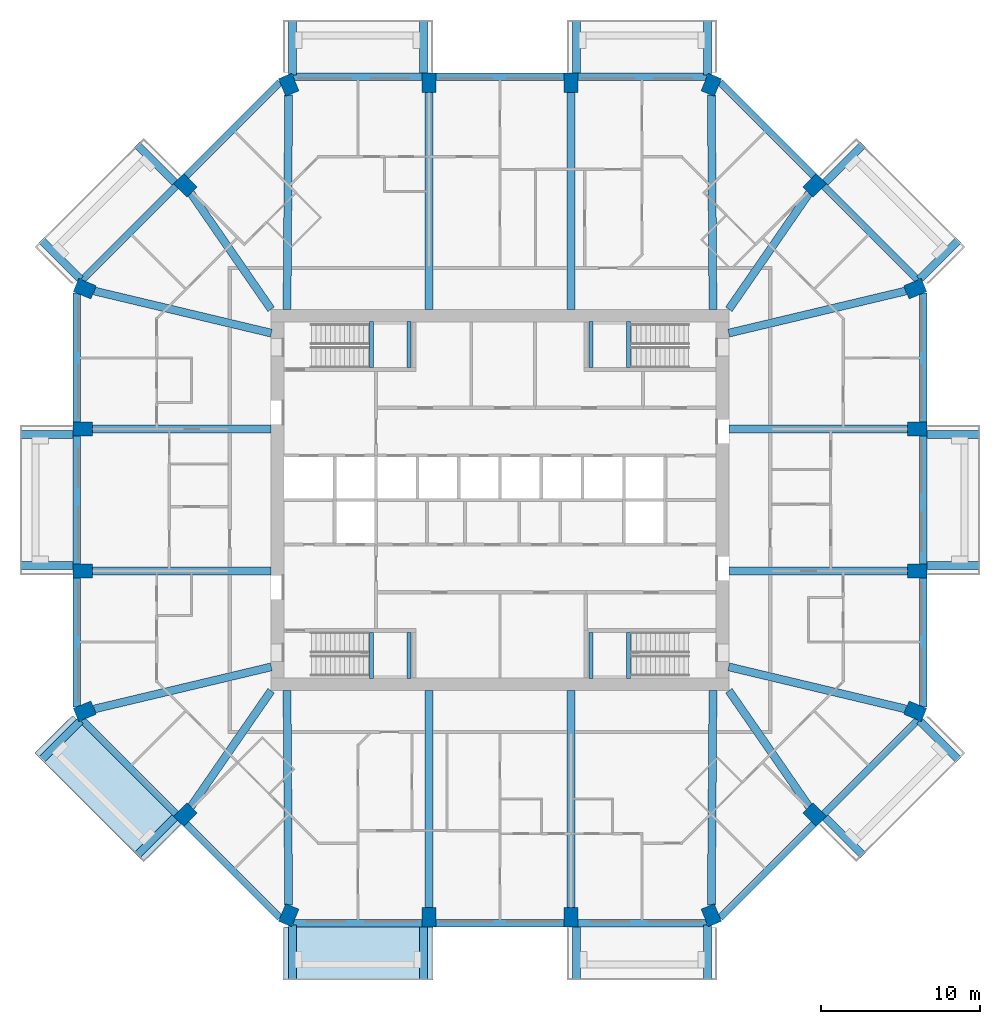
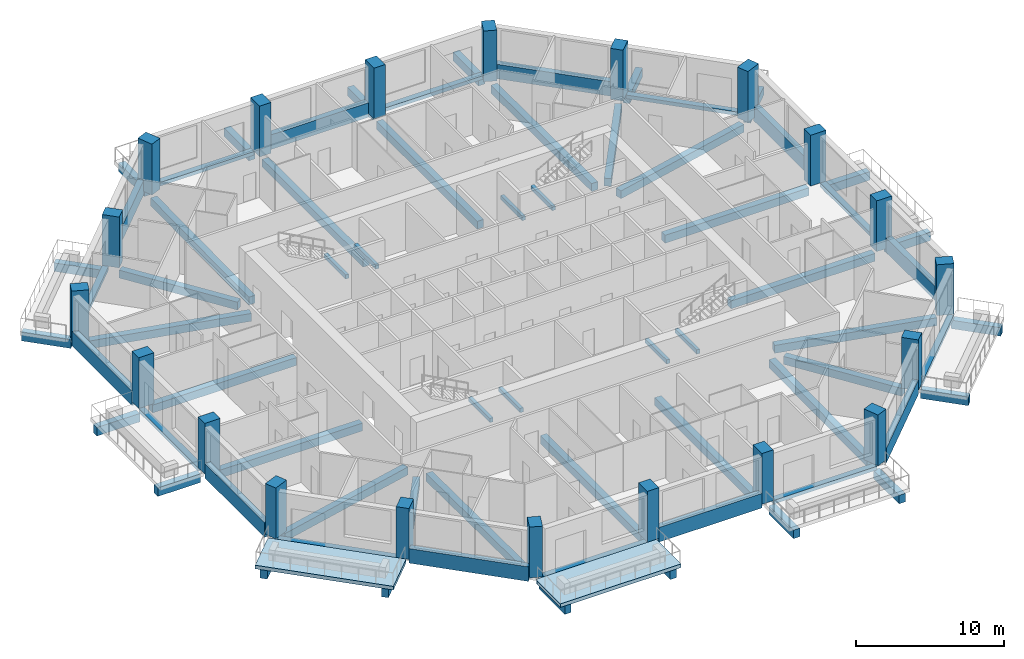
# One storey, part 1 of 13: 68 beams, 20 columns, 2 slabs.
"""IFC4 building model written with IfcOpenShell, lengths in metres."""

from ifc_helpers import new_model, si_unit, direction, frame, origin, origin_2d, place, context, subcontext, project, spatial, polyline, rectangle, outline, extrude, material, layer, layer_set, material_profile, profile_set, type_object, element, save


model = new_model("IFC4")

# Units and contexts
model_context = context("Model", 3, precision=1e-05, world=origin(), true_north=direction((0.0, 1.0)))
body_context = subcontext(model_context, "Body", "Model", "MODEL_VIEW")
ifc_project = project(units=[si_unit("LENGTHUNIT", "METRE"), si_unit("AREAUNIT", "SQUARE_METRE"), si_unit("VOLUMEUNIT", "CUBIC_METRE"), si_unit("PLANEANGLEUNIT", "RADIAN"), si_unit("MASSUNIT", "GRAM", prefix="KILO")], contexts=[model_context])

# Site, building, storey
site_placement = place(None, origin())
site = spatial("IfcSite", under=ifc_project, at=site_placement, CompositionType="ELEMENT")
building_placement = place(site_placement, origin())
building = spatial("IfcBuilding", under=site, at=building_placement, Name="Msitu Wima Residences", CompositionType="ELEMENT")
storey_placement = place(building_placement, frame((0.0, 0.0, 110.699951171875)))
storey = spatial("IfcBuildingStorey", under=building, at=storey_placement, Name="L25", CompositionType="ELEMENT", Elevation=110.699951171875)

# Columns
ifc_material_1 = material(Name="Concrete C70/85", Category="concrete")
ifc_material_profile_1 = material_profile(ifc_material_1, rectangle(XDim=0.89990234375, YDim=1.199951171875, at=origin_2d()), Name="RC 900x1200")
ifc_profile_set_1 = profile_set([ifc_material_profile_1], Name="Concrete C70/85")
column_type = type_object("IfcColumnType", Name="Column RC 900x1200 Concrete C70/85", PredefinedType="COLUMN", material=ifc_profile_set_1)
for number, where, z_axis, x_axis, name in (
    (1, (26.12353515625, -13.291259765625, 0.0), (0.0, 0.0, 1.0), (0.382683496864, 0.923879505795, 0.0), "Column L25 C-E0"),
    (2, (26.25, -4.46875, 0.0), (0.0, 0.0, 1.0), (0.0, 1.0, 0.0), "Column L25 C-E1"),
    (3, (26.25, 4.46875, 0.0), (0.0, 0.0, 1.0), (0.0, 1.0, 0.0), "Column L25 C-E2"),
    (4, (26.12353515625, 13.291259765625, 0.0), (0.0, 0.0, 1.0), (-0.382683496864, 0.923879505795, 0.0), "Column L25 C-NE0"),
    (5, (19.796875, 19.796875, 0.0), (0.0, 0.0, 1.0), (-0.707106781187, 0.707106781187, 0.0), "Column L25 C-NE1"),
    (6, (13.291259765625, 26.12353515625, 0.0), (0.0, 0.0, 1.0), (-0.923879505795, 0.382683496864, 0.0), "Column L25 C-N0"),
    (7, (4.46875, 26.25, 0.0), (0.0, 0.0, 1.0), (-1.0, 0.0, 0.0), "Column L25 C-N1"),
    (8, (-4.46875, 26.25, 0.0), (0.0, 0.0, 1.0), (-1.0, 0.0, 0.0), "Column L25 C-N2"),
    (9, (-13.291259765625, 26.12353515625, 0.0), (0.0, 0.0, 1.0), (-0.923879505795, -0.382683496864, 0.0), "Column L25 C-NW0"),
    (10, (-19.796875, 19.796875, 0.0), (0.0, 0.0, 1.0), (-0.707106781187, -0.707106781187, 0.0), "Column L25 C-NW1"),
    (11, (-26.12353515625, 13.291259765625, 0.0), (0.0, 0.0, 1.0), (-0.382683496864, -0.923879505795, 0.0), "Column L25 C-W0"),
    (12, (-26.25, 4.46875, 0.0), (0.0, 0.0, 1.0), (0.0, -1.0, 0.0), "Column L25 C-W1"),
    (13, (-26.25, -4.46875, 0.0), (0.0, 0.0, 1.0), (0.0, -1.0, 0.0), "Column L25 C-W2"),
    (14, (-26.12353515625, -13.291259765625, 0.0), (0.0, 0.0, 1.0), (0.382683496864, -0.923879505795, 0.0), "Column L25 C-SW0"),
    (15, (-19.796875, -19.796875, 0.0), (0.0, 0.0, 1.0), (0.707106781187, -0.707106781187, 0.0), "Column L25 C-SW1"),
    (16, (-13.291259765625, -26.12353515625, 0.0), (0.0, 0.0, 1.0), (0.923879505795, -0.382683496864, 0.0), "Column L25 C-S0"),
    (17, (-4.46875, -26.25, 0.0), (0.0, 0.0, 1.0), (1.0, 0.0, 0.0), "Column L25 C-S1"),
    (18, (4.46875, -26.25, 0.0), (0.0, 0.0, 1.0), (1.0, 0.0, 0.0), "Column L25 C-S2"),
    (19, (13.291259765625, -26.12353515625, 0.0), (0.0, 0.0, 1.0), (0.923879505795, 0.382683496864, 0.0), "Column L25 C-SE0"),
    (20, (19.796875, -19.796875, 0.0), (0.0, 0.0, 1.0), (0.707106781187, 0.707106781187, 0.0), "Column L25 C-SE1"),
):
    element("IfcColumn", number, at=place(storey_placement, frame(where, z_axis=z_axis, x_axis=x_axis)), inside=storey, type_object=column_type, Name=name, PredefinedType="COLUMN", context=body_context, shape_type="SweptSolid", body=[
        extrude(rectangle(XDim=0.89990234375, YDim=1.199951171875, at=origin_2d()), origin(), (0.0, 0.0, 1.0), 4.199951171875),
    ])

# Beams
ifc_material_2 = material(Name="Concrete C50/60", Category="concrete")
ifc_material_profile_2 = material_profile(ifc_material_2, rectangle(XDim=0.5, YDim=0.64990234375, at=origin_2d()), Name="RC 500x650")
ifc_profile_set_2 = profile_set([ifc_material_profile_2], Name="Concrete C50/60")
beam_type_1 = type_object("IfcBeamType", Name="Beam RC 500x650 Concrete C50/60", PredefinedType="BEAM", material=ifc_profile_set_2)
beam_1_placement = place(storey_placement, frame((25.5322265625, -13.150634765625, -0.574951171875), z_axis=(-0.972805528659, 0.231623408598, 0.0), x_axis=(-0.231623408598, -0.972805528659, 0.0)))
element("IfcBeam", 21, at=beam_1_placement, inside=storey, type_object=beam_type_1, Name="Beam L25 C-E0", PredefinedType="BEAM", context=body_context, shape_type="SweptSolid", body=[
    extrude(rectangle(XDim=0.5, YDim=0.64990234375, at=origin_2d()), origin(), (0.0, 0.0, 1.0), 11.455322265625),
])
for number, where, z_axis, x_axis, name in (
    (22, (25.64990234375, -4.46875, -0.574951171875), (-1.0, 0.0, 0.0), (0.0, -1.0, 0.0), "Beam L25 C-E1"),
    (23, (25.64990234375, 4.46875, -0.574951171875), (-1.0, 0.0, 0.0), (0.0, -1.0, 0.0), "Beam L25 C-E2"),
):
    element("IfcBeam", number, at=place(storey_placement, frame(where, z_axis=z_axis, x_axis=x_axis)), inside=storey, type_object=beam_type_1, Name=name, PredefinedType="BEAM", context=body_context, shape_type="SweptSolid", body=[
        extrude(rectangle(XDim=0.5, YDim=0.64990234375, at=origin_2d()), origin(), (0.0, 0.0, 1.0), 11.25),
    ])
beam_2_placement = place(storey_placement, frame((25.5322265625, 13.150634765625, -0.574951171875), z_axis=(-0.972805528659, -0.231623408598, 0.0), x_axis=(0.231623408598, -0.972805528659, 0.0)))
element("IfcBeam", 24, at=beam_2_placement, inside=storey, type_object=beam_type_1, Name="Beam L25 C-NE0", PredefinedType="BEAM", context=body_context, shape_type="SweptSolid", body=[
    extrude(rectangle(XDim=0.5, YDim=0.64990234375, at=origin_2d()), origin(), (0.0, 0.0, 1.0), 11.455322265625),
])
beam_3_placement = place(storey_placement, frame((19.44970703125, 19.29541015625, -0.574951171875), z_axis=(-0.569144158363, -0.822237755763, 0.0), x_axis=(0.822237755763, -0.569144158363, 0.0)))
element("IfcBeam", 25, at=beam_3_placement, inside=storey, type_object=beam_type_1, Name="Beam L25 C-NE1", PredefinedType="BEAM", context=body_context, shape_type="SweptSolid", body=[
    extrude(rectangle(XDim=0.5, YDim=0.64990234375, at=origin_2d()), origin(), (0.0, 0.0, 1.0), 8.87255859375),
])
beam_4_placement = place(storey_placement, frame((13.29638671875, 25.471923828125, -0.574951171875), z_axis=(0.007694865426, -0.999970394085, 0.0), x_axis=(0.999970394085, 0.007694865426, 0.0)))
element("IfcBeam", 26, at=beam_4_placement, inside=storey, type_object=beam_type_1, Name="Beam L25 C-N0", PredefinedType="BEAM", context=body_context, shape_type="SweptSolid", body=[
    extrude(rectangle(XDim=0.5, YDim=0.64990234375, at=origin_2d()), origin(), (0.0, 0.0, 1.0), 13.484375),
])
for number, where, z_axis, x_axis, name in (
    (27, (4.46875, 25.64990234375, -0.574951171875), (0.0, -1.0, 0.0), (1.0, 0.0, 0.0), "Beam L25 C-N1"),
    (28, (-4.46875, 25.64990234375, -0.574951171875), (0.0, -1.0, 0.0), (1.0, 0.0, 0.0), "Beam L25 C-N2"),
):
    element("IfcBeam", number, at=place(storey_placement, frame(where, z_axis=z_axis, x_axis=x_axis)), inside=storey, type_object=beam_type_1, Name=name, PredefinedType="BEAM", context=body_context, shape_type="SweptSolid", body=[
        extrude(rectangle(XDim=0.5, YDim=0.64990234375, at=origin_2d()), origin(), (0.0, 0.0, 1.0), 13.64990234375),
    ])
beam_5_placement = place(storey_placement, frame((-13.29638671875, 25.471923828125, -0.574951171875), z_axis=(-0.007694865426, -0.999970394085, 0.0), x_axis=(0.999970394085, -0.007694865426, 0.0)))
element("IfcBeam", 29, at=beam_5_placement, inside=storey, type_object=beam_type_1, Name="Beam L25 C-NW0", PredefinedType="BEAM", context=body_context, shape_type="SweptSolid", body=[
    extrude(rectangle(XDim=0.5, YDim=0.64990234375, at=origin_2d()), origin(), (0.0, 0.0, 1.0), 13.484375),
])
beam_6_placement = place(storey_placement, frame((-19.44970703125, 19.29541015625, -0.574951171875), z_axis=(0.569144158363, -0.822237755763, 0.0), x_axis=(0.822237755763, 0.569144158363, 0.0)))
element("IfcBeam", 30, at=beam_6_placement, inside=storey, type_object=beam_type_1, Name="Beam L25 C-NW1", PredefinedType="BEAM", context=body_context, shape_type="SweptSolid", body=[
    extrude(rectangle(XDim=0.5, YDim=0.64990234375, at=origin_2d()), origin(), (0.0, 0.0, 1.0), 8.87255859375),
])
beam_7_placement = place(storey_placement, frame((-25.5322265625, 13.150634765625, -0.574951171875), z_axis=(0.972805528659, -0.231623408598, 0.0), x_axis=(0.231623408598, 0.972805528659, 0.0)))
element("IfcBeam", 31, at=beam_7_placement, inside=storey, type_object=beam_type_1, Name="Beam L25 C-W0", PredefinedType="BEAM", context=body_context, shape_type="SweptSolid", body=[
    extrude(rectangle(XDim=0.5, YDim=0.64990234375, at=origin_2d()), origin(), (0.0, 0.0, 1.0), 11.455322265625),
])
for number, where, z_axis, x_axis, name in (
    (32, (-25.64990234375, 4.46875, -0.574951171875), (1.0, 0.0, 0.0), (0.0, 1.0, 0.0), "Beam L25 C-W1"),
    (33, (-25.64990234375, -4.46875, -0.574951171875), (1.0, 0.0, 0.0), (0.0, 1.0, 0.0), "Beam L25 C-W2"),
):
    element("IfcBeam", number, at=place(storey_placement, frame(where, z_axis=z_axis, x_axis=x_axis)), inside=storey, type_object=beam_type_1, Name=name, PredefinedType="BEAM", context=body_context, shape_type="SweptSolid", body=[
        extrude(rectangle(XDim=0.5, YDim=0.64990234375, at=origin_2d()), origin(), (0.0, 0.0, 1.0), 11.25),
    ])
beam_8_placement = place(storey_placement, frame((-25.5322265625, -13.150634765625, -0.574951171875), z_axis=(0.972805528659, 0.231623408598, 0.0), x_axis=(-0.231623408598, 0.972805528659, 0.0)))
element("IfcBeam", 34, at=beam_8_placement, inside=storey, type_object=beam_type_1, Name="Beam L25 C-SW0", PredefinedType="BEAM", context=body_context, shape_type="SweptSolid", body=[
    extrude(rectangle(XDim=0.5, YDim=0.64990234375, at=origin_2d()), origin(), (0.0, 0.0, 1.0), 11.455322265625),
])
beam_9_placement = place(storey_placement, frame((-19.44970703125, -19.29541015625, -0.574951171875), z_axis=(0.569144158363, 0.822237755763, 0.0), x_axis=(-0.822237755763, 0.569144158363, 0.0)))
element("IfcBeam", 35, at=beam_9_placement, inside=storey, type_object=beam_type_1, Name="Beam L25 C-SW1", PredefinedType="BEAM", context=body_context, shape_type="SweptSolid", body=[
    extrude(rectangle(XDim=0.5, YDim=0.64990234375, at=origin_2d()), origin(), (0.0, 0.0, 1.0), 8.87255859375),
])
beam_10_placement = place(storey_placement, frame((-13.29638671875, -25.471923828125, -0.574951171875), z_axis=(-0.007694865426, 0.999970394085, 0.0), x_axis=(-0.999970394085, -0.007694865426, 0.0)))
element("IfcBeam", 36, at=beam_10_placement, inside=storey, type_object=beam_type_1, Name="Beam L25 C-S0", PredefinedType="BEAM", context=body_context, shape_type="SweptSolid", body=[
    extrude(rectangle(XDim=0.5, YDim=0.64990234375, at=origin_2d()), origin(), (0.0, 0.0, 1.0), 13.484375),
])
for number, where, z_axis, x_axis, name in (
    (37, (-4.46875, -25.64990234375, -0.574951171875), (0.0, 1.0, 0.0), (-1.0, 0.0, 0.0), "Beam L25 C-S1"),
    (38, (4.46875, -25.64990234375, -0.574951171875), (0.0, 1.0, 0.0), (-1.0, 0.0, 0.0), "Beam L25 C-S2"),
):
    element("IfcBeam", number, at=place(storey_placement, frame(where, z_axis=z_axis, x_axis=x_axis)), inside=storey, type_object=beam_type_1, Name=name, PredefinedType="BEAM", context=body_context, shape_type="SweptSolid", body=[
        extrude(rectangle(XDim=0.5, YDim=0.64990234375, at=origin_2d()), origin(), (0.0, 0.0, 1.0), 13.64990234375),
    ])
beam_11_placement = place(storey_placement, frame((13.29638671875, -25.471923828125, -0.574951171875), z_axis=(0.007694865426, 0.999970394085, 0.0), x_axis=(-0.999970394085, 0.007694865426, 0.0)))
element("IfcBeam", 39, at=beam_11_placement, inside=storey, type_object=beam_type_1, Name="Beam L25 C-SE0", PredefinedType="BEAM", context=body_context, shape_type="SweptSolid", body=[
    extrude(rectangle(XDim=0.5, YDim=0.64990234375, at=origin_2d()), origin(), (0.0, 0.0, 1.0), 13.484375),
])
beam_12_placement = place(storey_placement, frame((19.44970703125, -19.29541015625, -0.574951171875), z_axis=(-0.569144158363, 0.822237755763, 0.0), x_axis=(-0.822237755763, -0.569144158363, 0.0)))
element("IfcBeam", 40, at=beam_12_placement, inside=storey, type_object=beam_type_1, Name="Beam L25 C-SE1", PredefinedType="BEAM", context=body_context, shape_type="SweptSolid", body=[
    extrude(rectangle(XDim=0.5, YDim=0.64990234375, at=origin_2d()), origin(), (0.0, 0.0, 1.0), 8.87255859375),
])
ifc_material_profile_3 = material_profile(ifc_material_2, rectangle(XDim=0.5, YDim=0.699951171875, at=origin_2d()), Name="RC 500x700")
ifc_profile_set_3 = profile_set([ifc_material_profile_3], Name="Concrete C50/60")
beam_type_2 = type_object("IfcBeamType", Name="Cantilever beam RC 500x700 Concrete C50/60", PredefinedType="BEAM", material=ifc_profile_set_3)
for number, where, z_axis, x_axis, name in (
    (41, (26.85009765625, -4.11865234375, -0.64990234375), (1.0, 0.0, 0.0), (0.0, 1.0, 0.0), "Cantilever beam L25 BA-E1 A"),
    (42, (26.85009765625, 4.11865234375, -0.64990234375), (1.0, 0.0, 0.0), (0.0, 1.0, 0.0), "Cantilever beam L25 BA-E1 B"),
):
    element("IfcBeam", number, at=place(storey_placement, frame(where, z_axis=z_axis, x_axis=x_axis)), inside=storey, type_object=beam_type_2, Name=name, PredefinedType="BEAM", context=body_context, shape_type="SweptSolid", body=[
        extrude(rectangle(XDim=0.5, YDim=0.699951171875, at=origin_2d()), origin(), (0.0, 0.0, 1.0), 3.349853515625),
    ])
beam_13_placement = place(storey_placement, frame((26.386474609375, 13.887451171875, -0.64990234375), z_axis=(0.707141968506, 0.707071592116, 0.0), x_axis=(-0.707071592116, 0.707141968506, 0.0)))
element("IfcBeam", 43, at=beam_13_placement, inside=storey, type_object=beam_type_2, Name="Cantilever beam L25 BA-NE0 A", PredefinedType="BEAM", context=body_context, shape_type="SweptSolid", body=[
    extrude(rectangle(XDim=0.5, YDim=0.699951171875, at=origin_2d()), origin(), (0.0, 0.0, 1.0), 3.468994140625),
])
beam_14_placement = place(storey_placement, frame((20.46875, 19.9736328125, -0.64990234375), z_axis=(0.707070340836, 0.707143219659, 0.0), x_axis=(-0.707143219659, 0.707070340836, 0.0)))
element("IfcBeam", 44, at=beam_14_placement, inside=storey, type_object=beam_type_2, Name="Cantilever beam L25 BA-NE0 B", PredefinedType="BEAM", context=body_context, shape_type="SweptSolid", body=[
    extrude(rectangle(XDim=0.5, YDim=0.699951171875, at=origin_2d()), origin(), (0.0, 0.0, 1.0), 3.349853515625),
])
beam_15_placement = place(storey_placement, frame((13.055908203125, 26.73095703125, -0.64990234375), z_axis=(0.0, 1.0, 0.0), x_axis=(-1.0, 0.0, 0.0)))
element("IfcBeam", 45, at=beam_15_placement, inside=storey, type_object=beam_type_2, Name="Cantilever beam L25 BA-N0 A", PredefinedType="BEAM", context=body_context, shape_type="SweptSolid", body=[
    extrude(rectangle(XDim=0.5, YDim=0.699951171875, at=origin_2d()), origin(), (0.0, 0.0, 1.0), 3.468994140625),
])
for number, where, z_axis, x_axis, name in (
    (46, (4.818603515625, 26.85009765625, -0.64990234375), (0.0, 1.0, 0.0), (-1.0, 0.0, 0.0), "Cantilever beam L25 BA-N0 B"),
    (47, (-4.818603515625, 26.85009765625, -0.64990234375), (0.0, 1.0, 0.0), (-1.0, 0.0, 0.0), "Cantilever beam L25 BA-N2 A"),
):
    element("IfcBeam", number, at=place(storey_placement, frame(where, z_axis=z_axis, x_axis=x_axis)), inside=storey, type_object=beam_type_2, Name=name, PredefinedType="BEAM", context=body_context, shape_type="SweptSolid", body=[
        extrude(rectangle(XDim=0.5, YDim=0.699951171875, at=origin_2d()), origin(), (0.0, 0.0, 1.0), 3.349853515625),
    ])
beam_16_placement = place(storey_placement, frame((-13.055908203125, 26.73095703125, -0.64990234375), z_axis=(0.0, 1.0, 0.0), x_axis=(-1.0, 0.0, 0.0)))
element("IfcBeam", 48, at=beam_16_placement, inside=storey, type_object=beam_type_2, Name="Cantilever beam L25 BA-N2 B", PredefinedType="BEAM", context=body_context, shape_type="SweptSolid", body=[
    extrude(rectangle(XDim=0.5, YDim=0.699951171875, at=origin_2d()), origin(), (0.0, 0.0, 1.0), 3.468994140625),
])
beam_17_placement = place(storey_placement, frame((-20.46875, 19.9736328125, -0.64990234375), z_axis=(-0.707070340836, 0.707143219659, 0.0), x_axis=(-0.707143219659, -0.707070340836, 0.0)))
element("IfcBeam", 49, at=beam_17_placement, inside=storey, type_object=beam_type_2, Name="Cantilever beam L25 BA-NW1 A", PredefinedType="BEAM", context=body_context, shape_type="SweptSolid", body=[
    extrude(rectangle(XDim=0.5, YDim=0.699951171875, at=origin_2d()), origin(), (0.0, 0.0, 1.0), 3.349853515625),
])
beam_18_placement = place(storey_placement, frame((-26.386474609375, 13.887451171875, -0.64990234375), z_axis=(-0.707141968506, 0.707071592116, 0.0), x_axis=(-0.707071592116, -0.707141968506, 0.0)))
element("IfcBeam", 50, at=beam_18_placement, inside=storey, type_object=beam_type_2, Name="Cantilever beam L25 BA-NW1 B", PredefinedType="BEAM", context=body_context, shape_type="SweptSolid", body=[
    extrude(rectangle(XDim=0.5, YDim=0.699951171875, at=origin_2d()), origin(), (0.0, 0.0, 1.0), 3.468994140625),
])
for number, where, z_axis, x_axis, name in (
    (51, (-26.85009765625, 4.11865234375, -0.64990234375), (-1.0, 0.0, 0.0), (0.0, -1.0, 0.0), "Cantilever beam L25 BA-W1 A"),
    (52, (-26.85009765625, -4.11865234375, -0.64990234375), (-1.0, 0.0, 0.0), (0.0, -1.0, 0.0), "Cantilever beam L25 BA-W1 B"),
):
    element("IfcBeam", number, at=place(storey_placement, frame(where, z_axis=z_axis, x_axis=x_axis)), inside=storey, type_object=beam_type_2, Name=name, PredefinedType="BEAM", context=body_context, shape_type="SweptSolid", body=[
        extrude(rectangle(XDim=0.5, YDim=0.699951171875, at=origin_2d()), origin(), (0.0, 0.0, 1.0), 3.349853515625),
    ])
beam_19_placement = place(storey_placement, frame((-26.386474609375, -13.887451171875, -0.64990234375), z_axis=(-0.707141968506, -0.707071592116, 0.0), x_axis=(0.707071592116, -0.707141968506, 0.0)))
element("IfcBeam", 53, at=beam_19_placement, inside=storey, type_object=beam_type_2, Name="Cantilever beam L25 BA-SW0 A", PredefinedType="BEAM", context=body_context, shape_type="SweptSolid", body=[
    extrude(rectangle(XDim=0.5, YDim=0.699951171875, at=origin_2d()), origin(), (0.0, 0.0, 1.0), 3.468994140625),
])
beam_20_placement = place(storey_placement, frame((-20.46875, -19.9736328125, -0.64990234375), z_axis=(-0.707070340836, -0.707143219659, 0.0), x_axis=(0.707143219659, -0.707070340836, 0.0)))
element("IfcBeam", 54, at=beam_20_placement, inside=storey, type_object=beam_type_2, Name="Cantilever beam L25 BA-SW0 B", PredefinedType="BEAM", context=body_context, shape_type="SweptSolid", body=[
    extrude(rectangle(XDim=0.5, YDim=0.699951171875, at=origin_2d()), origin(), (0.0, 0.0, 1.0), 3.349853515625),
])
beam_21_placement = place(storey_placement, frame((-13.055908203125, -26.73095703125, -0.64990234375), z_axis=(0.0, -1.0, 0.0), x_axis=(1.0, 0.0, 0.0)))
element("IfcBeam", 55, at=beam_21_placement, inside=storey, type_object=beam_type_2, Name="Cantilever beam L25 BA-S0 A", PredefinedType="BEAM", context=body_context, shape_type="SweptSolid", body=[
    extrude(rectangle(XDim=0.5, YDim=0.699951171875, at=origin_2d()), origin(), (0.0, 0.0, 1.0), 3.468994140625),
])
for number, where, z_axis, x_axis, name in (
    (56, (-4.818603515625, -26.85009765625, -0.64990234375), (0.0, -1.0, 0.0), (1.0, 0.0, 0.0), "Cantilever beam L25 BA-S0 B"),
    (57, (4.818603515625, -26.85009765625, -0.64990234375), (0.0, -1.0, 0.0), (1.0, 0.0, 0.0), "Cantilever beam L25 BA-S2 A"),
):
    element("IfcBeam", number, at=place(storey_placement, frame(where, z_axis=z_axis, x_axis=x_axis)), inside=storey, type_object=beam_type_2, Name=name, PredefinedType="BEAM", context=body_context, shape_type="SweptSolid", body=[
        extrude(rectangle(XDim=0.5, YDim=0.699951171875, at=origin_2d()), origin(), (0.0, 0.0, 1.0), 3.349853515625),
    ])
beam_22_placement = place(storey_placement, frame((13.055908203125, -26.73095703125, -0.64990234375), z_axis=(0.0, -1.0, 0.0), x_axis=(1.0, 0.0, 0.0)))
element("IfcBeam", 58, at=beam_22_placement, inside=storey, type_object=beam_type_2, Name="Cantilever beam L25 BA-S2 B", PredefinedType="BEAM", context=body_context, shape_type="SweptSolid", body=[
    extrude(rectangle(XDim=0.5, YDim=0.699951171875, at=origin_2d()), origin(), (0.0, 0.0, 1.0), 3.468994140625),
])
beam_23_placement = place(storey_placement, frame((20.46875, -19.9736328125, -0.64990234375), z_axis=(0.707070340836, -0.707143219659, 0.0), x_axis=(0.707143219659, 0.707070340836, 0.0)))
element("IfcBeam", 59, at=beam_23_placement, inside=storey, type_object=beam_type_2, Name="Cantilever beam L25 BA-SE1 A", PredefinedType="BEAM", context=body_context, shape_type="SweptSolid", body=[
    extrude(rectangle(XDim=0.5, YDim=0.699951171875, at=origin_2d()), origin(), (0.0, 0.0, 1.0), 3.349853515625),
])
beam_24_placement = place(storey_placement, frame((26.386474609375, -13.887451171875, -0.64990234375), z_axis=(0.707141968506, -0.707071592116, 0.0), x_axis=(0.707071592116, 0.707141968506, 0.0)))
element("IfcBeam", 60, at=beam_24_placement, inside=storey, type_object=beam_type_2, Name="Cantilever beam L25 BA-SE1 B", PredefinedType="BEAM", context=body_context, shape_type="SweptSolid", body=[
    extrude(rectangle(XDim=0.5, YDim=0.699951171875, at=origin_2d()), origin(), (0.0, 0.0, 1.0), 3.468994140625),
])
ifc_material_profile_4 = material_profile(ifc_material_2, rectangle(XDim=0.449951171875, YDim=0.300048828125, at=origin_2d()), Name="RC 450x300")
ifc_profile_set_4 = profile_set([ifc_material_profile_4], Name="Concrete C50/60")
beam_type_3 = type_object("IfcBeamType", Name="Edge beam RC 450x300 Concrete C50/60", PredefinedType="SPANDREL", material=ifc_profile_set_4)
beam_25_placement = place(storey_placement, frame((26.625, -4.0185546875, -0.14990234375), z_axis=(0.0, 1.0, 0.0), x_axis=(-1.0, 0.0, 0.0)))
element("IfcBeam", 61, at=beam_25_placement, inside=storey, type_object=beam_type_3, Name="Spandrel L25 E1", PredefinedType="SPANDREL", context=body_context, shape_type="SweptSolid", body=[
    extrude(rectangle(XDim=0.449951171875, YDim=0.300048828125, at=origin_2d()), origin(), (0.0, 0.0, 1.0), 8.037109375),
])
beam_26_placement = place(storey_placement, frame((26.2890625, 13.8349609375, -0.14990234375), z_axis=(-0.707106781187, 0.707106781187, 0.0), x_axis=(-0.707106781187, -0.707106781187, 0.0)))
element("IfcBeam", 62, at=beam_26_placement, inside=storey, type_object=beam_type_3, Name="Spandrel L25 NE0", PredefinedType="SPANDREL", context=body_context, shape_type="SweptSolid", body=[
    extrude(rectangle(XDim=0.449951171875, YDim=0.300048828125, at=origin_2d()), origin(), (0.0, 0.0, 1.0), 8.3564453125),
])
for number, where, z_axis, x_axis, name in (
    (63, (13.02392578125, 26.625, -0.14990234375), (-1.0, 0.0, 0.0), (0.0, -1.0, 0.0), "Spandrel L25 N0"),
    (64, (-4.918701171875, 26.625, -0.14990234375), (-1.0, 0.0, 0.0), (0.0, -1.0, 0.0), "Spandrel L25 N2"),
):
    element("IfcBeam", number, at=place(storey_placement, frame(where, z_axis=z_axis, x_axis=x_axis)), inside=storey, type_object=beam_type_3, Name=name, PredefinedType="SPANDREL", context=body_context, shape_type="SweptSolid", body=[
        extrude(rectangle(XDim=0.449951171875, YDim=0.300048828125, at=origin_2d()), origin(), (0.0, 0.0, 1.0), 8.105224609375),
    ])
beam_27_placement = place(storey_placement, frame((-20.380126953125, 19.743896484375, -0.14990234375), z_axis=(-0.707106781187, -0.707106781187, 0.0), x_axis=(0.707106781187, -0.707106781187, 0.0)))
element("IfcBeam", 65, at=beam_27_placement, inside=storey, type_object=beam_type_3, Name="Spandrel L25 NW1", PredefinedType="SPANDREL", context=body_context, shape_type="SweptSolid", body=[
    extrude(rectangle(XDim=0.449951171875, YDim=0.300048828125, at=origin_2d()), origin(), (0.0, 0.0, 1.0), 8.3564453125),
])
beam_28_placement = place(storey_placement, frame((-26.625, 4.0185546875, -0.14990234375), z_axis=(0.0, -1.0, 0.0), x_axis=(1.0, 0.0, 0.0)))
element("IfcBeam", 66, at=beam_28_placement, inside=storey, type_object=beam_type_3, Name="Spandrel L25 W1", PredefinedType="SPANDREL", context=body_context, shape_type="SweptSolid", body=[
    extrude(rectangle(XDim=0.449951171875, YDim=0.300048828125, at=origin_2d()), origin(), (0.0, 0.0, 1.0), 8.037109375),
])
beam_29_placement = place(storey_placement, frame((-26.2890625, -13.8349609375, -0.14990234375), z_axis=(0.707106781187, -0.707106781187, 0.0), x_axis=(0.707106781187, 0.707106781187, 0.0)))
element("IfcBeam", 67, at=beam_29_placement, inside=storey, type_object=beam_type_3, Name="Spandrel L25 SW0", PredefinedType="SPANDREL", context=body_context, shape_type="SweptSolid", body=[
    extrude(rectangle(XDim=0.449951171875, YDim=0.300048828125, at=origin_2d()), origin(), (0.0, 0.0, 1.0), 8.3564453125),
])
for number, where, z_axis, x_axis, name in (
    (68, (-13.02392578125, -26.625, -0.14990234375), (1.0, 0.0, 0.0), (0.0, 1.0, 0.0), "Spandrel L25 S0"),
    (69, (4.918701171875, -26.625, -0.14990234375), (1.0, 0.0, 0.0), (0.0, 1.0, 0.0), "Spandrel L25 S2"),
):
    element("IfcBeam", number, at=place(storey_placement, frame(where, z_axis=z_axis, x_axis=x_axis)), inside=storey, type_object=beam_type_3, Name=name, PredefinedType="SPANDREL", context=body_context, shape_type="SweptSolid", body=[
        extrude(rectangle(XDim=0.449951171875, YDim=0.300048828125, at=origin_2d()), origin(), (0.0, 0.0, 1.0), 8.105224609375),
    ])
beam_30_placement = place(storey_placement, frame((20.380126953125, -19.743896484375, -0.14990234375), z_axis=(0.707106781187, 0.707106781187, 0.0), x_axis=(-0.707106781187, 0.707106781187, 0.0)))
element("IfcBeam", 70, at=beam_30_placement, inside=storey, type_object=beam_type_3, Name="Spandrel L25 SE1", PredefinedType="SPANDREL", context=body_context, shape_type="SweptSolid", body=[
    extrude(rectangle(XDim=0.449951171875, YDim=0.300048828125, at=origin_2d()), origin(), (0.0, 0.0, 1.0), 8.3564453125),
])
ifc_material_3 = material(Name="Concrete C40/50", Category="concrete")
ifc_material_profile_5 = material_profile(ifc_material_3, rectangle(XDim=0.25, YDim=0.35009765625, at=origin_2d()), Name="RC 250x350")
ifc_profile_set_5 = profile_set([ifc_material_profile_5], Name="Concrete C40/50")
beam_type_4 = type_object("IfcBeamType", Name="Landing beam RC 250x350", PredefinedType="BEAM", material=ifc_profile_set_5)
for number, where, z_axis, x_axis, name in (
    (71, (-8.074951171875, 8.324951171875, 1.72509765625), (0.0, 1.0, 0.0), (-1.0, 0.0, 0.0), "Stair 1 landing beam"),
    (72, (-5.72509765625, 8.324951171875, 1.72509765625), (0.0, 1.0, 0.0), (-1.0, 0.0, 0.0), "Stair 1 landing beam"),
    (73, (-8.074951171875, -11.22509765625, 1.72509765625), (0.0, 1.0, 0.0), (-1.0, 0.0, 0.0), "Stair 2 landing beam"),
    (74, (-5.72509765625, -11.22509765625, 1.72509765625), (0.0, 1.0, 0.0), (-1.0, 0.0, 0.0), "Stair 2 landing beam"),
    (75, (8.074951171875, 8.324951171875, 1.72509765625), (0.0, 1.0, 0.0), (-1.0, 0.0, 0.0), "Stair 3 landing beam"),
    (76, (5.72509765625, 8.324951171875, 1.72509765625), (0.0, 1.0, 0.0), (-1.0, 0.0, 0.0), "Stair 3 landing beam"),
    (77, (8.074951171875, -11.22509765625, 1.72509765625), (0.0, 1.0, 0.0), (-1.0, 0.0, 0.0), "Stair 4 landing beam"),
    (78, (5.72509765625, -11.22509765625, 1.72509765625), (0.0, 1.0, 0.0), (-1.0, 0.0, 0.0), "Stair 4 landing beam"),
):
    element("IfcBeam", number, at=place(storey_placement, frame(where, z_axis=z_axis, x_axis=x_axis)), inside=storey, type_object=beam_type_4, Name=name, PredefinedType="BEAM", context=body_context, shape_type="SweptSolid", body=[
        extrude(rectangle(XDim=0.25, YDim=0.35009765625, at=origin_2d()), origin(), (0.0, 0.0, 1.0), 2.900146484375),
    ])
ifc_material_profile_6 = material_profile(ifc_material_2, rectangle(XDim=0.449951171875, YDim=1.199951171875, at=origin_2d()), Name="RC 450x1200")
ifc_profile_set_6 = profile_set([ifc_material_profile_6], Name="Concrete C50/60")
beam_type_5 = type_object("IfcBeamType", Name="Spandrel RC 450x1200 Concrete C50/60", PredefinedType="SPANDREL", material=ifc_profile_set_6)
for number, where, z_axis, x_axis, name in (
    (79, (26.625, -13.02392578125, 0.300048828125), (0.0, 1.0, 0.0), (-1.0, 0.0, 0.0), "Spandrel L25 E0"),
    (80, (26.625, 4.918701171875, 0.300048828125), (0.0, 1.0, 0.0), (-1.0, 0.0, 0.0), "Spandrel L25 E2"),
):
    element("IfcBeam", number, at=place(storey_placement, frame(where, z_axis=z_axis, x_axis=x_axis)), inside=storey, type_object=beam_type_5, Name=name, PredefinedType="SPANDREL", context=body_context, shape_type="SweptSolid", body=[
        extrude(rectangle(XDim=0.449951171875, YDim=1.199951171875, at=origin_2d()), origin(), (0.0, 0.0, 1.0), 8.105224609375),
    ])
beam_31_placement = place(storey_placement, frame((19.743896484375, 20.380126953125, 0.300048828125), z_axis=(-0.707106781187, 0.707106781187, 0.0), x_axis=(-0.707106781187, -0.707106781187, 0.0)))
element("IfcBeam", 81, at=beam_31_placement, inside=storey, type_object=beam_type_5, Name="Spandrel L25 NE1", PredefinedType="SPANDREL", context=body_context, shape_type="SweptSolid", body=[
    extrude(rectangle(XDim=0.449951171875, YDim=1.199951171875, at=origin_2d()), origin(), (0.0, 0.0, 1.0), 8.3564453125),
])
beam_32_placement = place(storey_placement, frame((4.0185546875, 26.625, 0.300048828125), z_axis=(-1.0, 0.0, 0.0), x_axis=(0.0, -1.0, 0.0)))
element("IfcBeam", 82, at=beam_32_placement, inside=storey, type_object=beam_type_5, Name="Spandrel L25 N1", PredefinedType="SPANDREL", context=body_context, shape_type="SweptSolid", body=[
    extrude(rectangle(XDim=0.449951171875, YDim=1.199951171875, at=origin_2d()), origin(), (0.0, 0.0, 1.0), 8.037109375),
])
beam_33_placement = place(storey_placement, frame((-13.8349609375, 26.2890625, 0.300048828125), z_axis=(-0.707106781187, -0.707106781187, 0.0), x_axis=(0.707106781187, -0.707106781187, 0.0)))
element("IfcBeam", 83, at=beam_33_placement, inside=storey, type_object=beam_type_5, Name="Spandrel L25 NW0", PredefinedType="SPANDREL", context=body_context, shape_type="SweptSolid", body=[
    extrude(rectangle(XDim=0.449951171875, YDim=1.199951171875, at=origin_2d()), origin(), (0.0, 0.0, 1.0), 8.3564453125),
])
for number, where, z_axis, x_axis, name in (
    (84, (-26.625, 13.02392578125, 0.300048828125), (0.0, -1.0, 0.0), (1.0, 0.0, 0.0), "Spandrel L25 W0"),
    (85, (-26.625, -4.918701171875, 0.300048828125), (0.0, -1.0, 0.0), (1.0, 0.0, 0.0), "Spandrel L25 W2"),
):
    element("IfcBeam", number, at=place(storey_placement, frame(where, z_axis=z_axis, x_axis=x_axis)), inside=storey, type_object=beam_type_5, Name=name, PredefinedType="SPANDREL", context=body_context, shape_type="SweptSolid", body=[
        extrude(rectangle(XDim=0.449951171875, YDim=1.199951171875, at=origin_2d()), origin(), (0.0, 0.0, 1.0), 8.105224609375),
    ])
beam_34_placement = place(storey_placement, frame((-19.743896484375, -20.380126953125, 0.300048828125), z_axis=(0.707106781187, -0.707106781187, 0.0), x_axis=(0.707106781187, 0.707106781187, 0.0)))
element("IfcBeam", 86, at=beam_34_placement, inside=storey, type_object=beam_type_5, Name="Spandrel L25 SW1", PredefinedType="SPANDREL", context=body_context, shape_type="SweptSolid", body=[
    extrude(rectangle(XDim=0.449951171875, YDim=1.199951171875, at=origin_2d()), origin(), (0.0, 0.0, 1.0), 8.3564453125),
])
beam_35_placement = place(storey_placement, frame((-4.0185546875, -26.625, 0.300048828125), z_axis=(1.0, 0.0, 0.0), x_axis=(0.0, 1.0, 0.0)))
element("IfcBeam", 87, at=beam_35_placement, inside=storey, type_object=beam_type_5, Name="Spandrel L25 S1", PredefinedType="SPANDREL", context=body_context, shape_type="SweptSolid", body=[
    extrude(rectangle(XDim=0.449951171875, YDim=1.199951171875, at=origin_2d()), origin(), (0.0, 0.0, 1.0), 8.037109375),
])
beam_36_placement = place(storey_placement, frame((13.8349609375, -26.2890625, 0.300048828125), z_axis=(0.707106781187, 0.707106781187, 0.0), x_axis=(-0.707106781187, 0.707106781187, 0.0)))
element("IfcBeam", 88, at=beam_36_placement, inside=storey, type_object=beam_type_5, Name="Spandrel L25 SE0", PredefinedType="SPANDREL", context=body_context, shape_type="SweptSolid", body=[
    extrude(rectangle(XDim=0.449951171875, YDim=1.199951171875, at=origin_2d()), origin(), (0.0, 0.0, 1.0), 8.3564453125),
])

# Slabs
ifc_layer = layer(ifc_material_3, 0.300048828125)
ifc_layer_set = layer_set([ifc_layer], Name="Concrete C40/50")
slab_type = type_object("IfcSlabType", Name="Balcony slab BS300", PredefinedType="FLOOR", material=ifc_layer_set)
slab_1_placement = place(storey_placement, frame((0.0, 0.0, -0.300048828125)))
element("IfcSlab", 89, at=slab_1_placement, inside=storey, type_object=slab_type, Name="Balcony SW0 L25", PredefinedType="FLOOR", context=body_context, shape_type="SweptSolid", body=[
    extrude(outline(polyline([(-22.4130859375, -22.766845703125), (-29.263671875, -15.916015625), (-27.003662109375, -13.656005859375), (-26.85009765625, -13.59228515625), (-20.04443359375, -20.39794921875), (-22.4130859375, -22.766845703125)])), origin(), (0.0, 0.0, 1.0), 0.300048828125),
])
slab_2_placement = place(storey_placement, frame((0.0, 0.0, -0.300048828125)))
element("IfcSlab", 90, at=slab_2_placement, inside=storey, type_object=slab_type, Name="Balcony S0 L25", PredefinedType="FLOOR", context=body_context, shape_type="SweptSolid", body=[
    extrude(outline(polyline([(-13.105224609375, -26.85009765625), (-13.105224609375, -26.85009765625), (-4.918701171875, -26.85009765625), (-4.918701171875, -26.85009765625), (-4.21875, -26.85009765625), (-4.21875, -30.199951171875), (-13.656005859375, -30.199951171875), (-13.656005859375, -27.003662109375), (-13.59228515625, -26.85009765625), (-13.105224609375, -26.85009765625), (-13.105224609375, -26.85009765625)])), origin(), (0.0, 0.0, 1.0), 0.300048828125),
])

save(model, "model.ifc")
